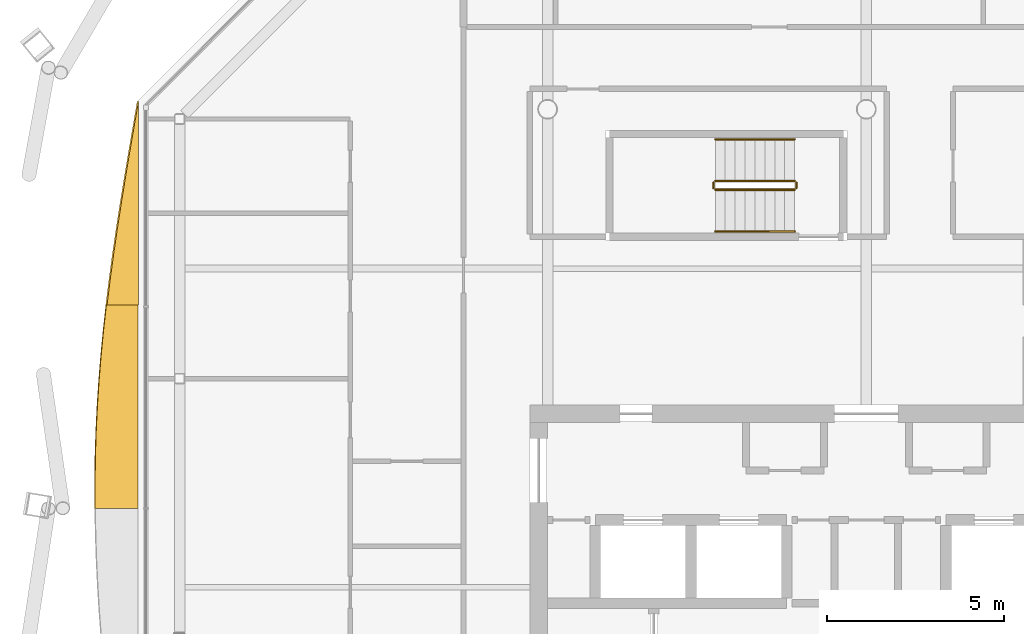
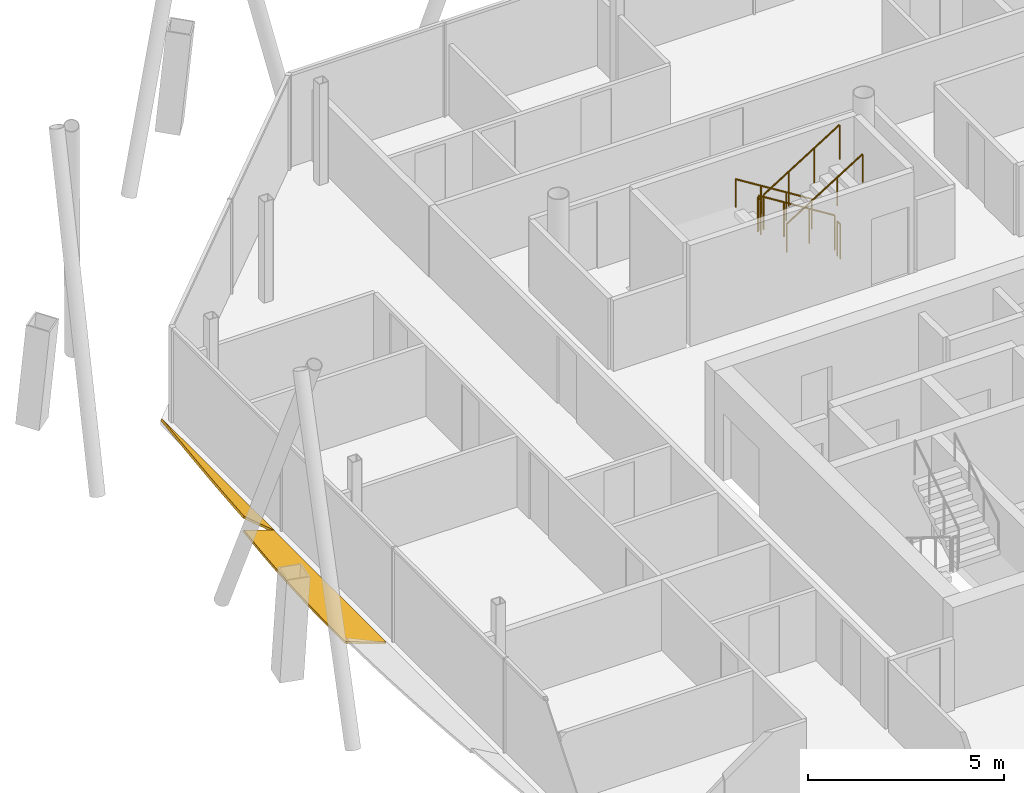
# One storey, part 15 of 16: 6 railings, 2 shading devices.
"""IFC4 building model written with IfcOpenShell, lengths in metres."""

from ifc_helpers import new_model, si_unit, direction, frame, origin, origin_2d, place, context, subcontext, project, spatial, polyline, circle, outline, extrude, material, layer, layer_set, type_object, element, save


model = new_model("IFC4")

# Units and contexts
model_context = context("Model", 3, precision=1e-05, world=origin(), true_north=direction((0.0, 1.0)))
body_context = subcontext(model_context, "Body", "Model", "MODEL_VIEW")
ifc_project = project(units=[si_unit("LENGTHUNIT", "METRE"), si_unit("AREAUNIT", "SQUARE_METRE"), si_unit("VOLUMEUNIT", "CUBIC_METRE"), si_unit("PLANEANGLEUNIT", "RADIAN"), si_unit("MASSUNIT", "GRAM", prefix="KILO")], contexts=[model_context])

# Site, building, storey
site_placement = place(None, origin())
site = spatial("IfcSite", under=ifc_project, at=site_placement, CompositionType="ELEMENT")
building_placement = place(site_placement, origin())
building = spatial("IfcBuilding", under=site, at=building_placement, Name="Tskaro Facet Tower", CompositionType="ELEMENT")
storey_placement = place(building_placement, frame((0.0, 0.0, 245.550048828125)))
storey = spatial("IfcBuildingStorey", under=building, at=storey_placement, Name="L64", CompositionType="ELEMENT", Elevation=245.550048828125)

# Shading devices
ifc_material_1 = material(Name="Bronze anodised aluminium 6063-T6", Category="aluminium")
ifc_layer = layer(ifc_material_1, 0.06005859375, Name="Bronze anodised aluminium 6063-T6")
ifc_layer_set = layer_set([ifc_layer], Name="Bronze anodised aluminium 6063-T6")
shading_device_type = type_object("IfcShadingDeviceType", Name="Bronze sun blade (FN1)", PredefinedType="USERDEFINED", material=ifc_layer_set)
shading_device_1_placement = place(storey_placement, frame((-20.552490234375, 9.221923828125, 0.0458984375), z_axis=(0.642858755108, 1.3712741e-05, 0.765984739269), x_axis=(8.815356e-06, -0.999999999906, 1.050375e-05)))
element("IfcShadingDevice", 1, at=shading_device_1_placement, inside=storey, type_object=shading_device_type, Name="Fin blade west 1", ObjectType="FIN", PredefinedType="USERDEFINED", context=body_context, shape_type="SweptSolid", body=[
    extrude(outline(polyline([(0.0, 0.0), (5.746582030709709, 4.867544314568291e-21), (5.746582031884768, -1.15896617017039), (5.028320311481949, -1.0425252356742543), (4.310058594602673, -0.9151444791513481), (3.5915527324254235, -0.7779158885049613), (2.873291012977763, -0.6325291833367475), (2.1550292972835368, -0.4803601873718135), (1.43652343734564, -0.32318880037600245), (0.7182617207794275, -0.16236078601969137), (0.0, 0.0)])), origin(), (0.0, 0.0, -1.0), 0.06005859375),
])
shading_device_2_placement = place(storey_placement, frame((-20.570556640625, 3.475341796875, 0.056396484375), z_axis=(0.342003595381, 1.028157e-06, 0.93969864358), x_axis=(3.51634e-07, -0.999999999999, 9.66158e-07)))
element("IfcShadingDevice", 2, at=shading_device_2_placement, inside=storey, type_object=shading_device_type, Name="Fin blade west 2", ObjectType="FIN", PredefinedType="USERDEFINED", context=body_context, shape_type="SweptSolid", body=[
    extrude(outline(polyline([(0.0, 0.0), (5.746826171871962, 0.0), (5.746826171827961, -1.2829131745358124), (5.195068359477469, -1.2860836827633193), (5.028564453077526, -1.2857707671776353), (4.310058593662833, -1.2758839022383333), (3.591796874941395, -1.2522514082897562), (2.873535156352394, -1.2154156195317436), (2.1550292969491043, -1.165522457606922), (1.436767578195738, -1.103427172300815), (0.7185058592955995, -1.0295886008417328), (-7.625016480983472e-11, -0.9446325744010432), (0.0, 0.0)])), origin(), (0.0, 0.0, -1.0), 0.06005859375),
])

# Railings
ifc_material_2 = material(Name="Stainless steel", Category="steel")
railing_type_1 = type_object("IfcRailingType", Name="RL-GUARD-1100", PredefinedType="GUARDRAIL", material=ifc_material_2)
railing_1_placement = place(storey_placement, frame((-2.02490234375, 6.97509765625, 0.175048828125)))
element("IfcRailing", 3, at=railing_1_placement, inside=storey, type_object=railing_type_1, Name="L64 ST-3 stair guard 1", PredefinedType="GUARDRAIL", context=body_context, shape_type="SweptSolid", body=[
    extrude(circle(Radius=0.02392578125, at=origin_2d()), frame((0.0, 0.0, 1.076171875), z_axis=(-0.848013881152, 0.0, 0.529974015752), x_axis=(0.0, -1.0, 0.0)), (0.0, 0.0, 1.0), 2.641357421875),
    extrude(circle(Radius=0.02099609375, at=origin_2d()), origin(), (0.0, 0.0, 1.0), 1.052001953125),
    extrude(circle(Radius=0.02099609375, at=origin_2d()), frame((-0.74658203125, 0.0, 0.466552734375)), (0.0, 0.0, 1.0), 1.052001953125),
    extrude(circle(Radius=0.02099609375, at=origin_2d()), frame((-1.493408203125, 0.0, 0.933349609375)), (0.0, 0.0, 1.0), 1.052001953125),
    extrude(circle(Radius=0.02099609375, at=origin_2d()), frame((-2.239990234375, 0.0, 1.39990234375)), (0.0, 0.0, 1.0), 1.052001953125),
])
railing_2_placement = place(storey_placement, frame((-4.31494140625, 6.925048828125, 1.574951171875)))
element("IfcRailing", 4, at=railing_2_placement, inside=storey, type_object=railing_type_1, Name="L64 ST-3 stair guard 2", PredefinedType="GUARDRAIL", context=body_context, shape_type="SweptSolid", body=[
    extrude(circle(Radius=0.02392578125, at=origin_2d()), frame((0.0, 0.0, 1.076171875), z_axis=(0.0, -1.0, 0.0), x_axis=(1.0, 0.0, 0.0)), (0.0, 0.0, 1.0), 0.150146484375),
    extrude(circle(Radius=0.02099609375, at=origin_2d()), origin(), (0.0, 0.0, 1.0), 1.052001953125),
    extrude(circle(Radius=0.02099609375, at=origin_2d()), frame((0.0, -0.150146484375, 0.0)), (0.0, 0.0, 1.0), 1.052001953125),
])
railing_3_placement = place(storey_placement, frame((-4.264892578125, 6.72509765625, 1.75)))
element("IfcRailing", 5, at=railing_3_placement, inside=storey, type_object=railing_type_1, Name="L64 ST-3 stair guard 3", PredefinedType="GUARDRAIL", context=body_context, shape_type="SweptSolid", body=[
    extrude(circle(Radius=0.02392578125, at=origin_2d()), frame((0.0, 0.0, 1.076171875), z_axis=(0.848013881152, 0.0, 0.529974015752), x_axis=(0.0, 1.0, 0.0)), (0.0, 0.0, 1.0), 2.641357421875),
    extrude(circle(Radius=0.02099609375, at=origin_2d()), origin(), (0.0, 0.0, 1.0), 1.052001953125),
    extrude(circle(Radius=0.02099609375, at=origin_2d()), frame((0.74658203125, 0.0, 0.466552734375)), (0.0, 0.0, 1.0), 1.052001953125),
    extrude(circle(Radius=0.02099609375, at=origin_2d()), frame((1.493408203125, 0.0, 0.933349609375)), (0.0, 0.0, 1.0), 1.052001953125),
    extrude(circle(Radius=0.02099609375, at=origin_2d()), frame((2.239990234375, 0.0, 1.39990234375)), (0.0, 0.0, 1.0), 1.052001953125),
])
railing_4_placement = place(storey_placement, frame((-1.97509765625, 6.925048828125, 0.0)))
element("IfcRailing", 6, at=railing_4_placement, inside=storey, type_object=railing_type_1, Name="L64 ST-3 stair guard 4", PredefinedType="GUARDRAIL", context=body_context, shape_type="SweptSolid", body=[
    extrude(circle(Radius=0.02392578125, at=origin_2d()), frame((0.0, 0.0, 1.076171875), z_axis=(0.0, -1.0, 0.0), x_axis=(1.0, 0.0, 0.0)), (0.0, 0.0, 1.0), 0.150146484375),
    extrude(circle(Radius=0.02099609375, at=origin_2d()), origin(), (0.0, 0.0, 1.0), 1.052001953125),
    extrude(circle(Radius=0.02099609375, at=origin_2d()), frame((0.0, -0.150146484375, 0.0)), (0.0, 0.0, 1.0), 1.052001953125),
])
railing_type_2 = type_object("IfcRailingType", Name="RL-HANDRAIL-900", PredefinedType="HANDRAIL", material=ifc_material_2)
railing_5_placement = place(storey_placement, frame((-2.02490234375, 8.14990234375, 0.175048828125)))
element("IfcRailing", 7, at=railing_5_placement, inside=storey, type_object=railing_type_2, Name="L64 ST-3 stair handrail 1", PredefinedType="HANDRAIL", context=body_context, shape_type="SweptSolid", body=[
    extrude(circle(Radius=0.02392578125, at=origin_2d()), frame((0.0, 0.0, 0.8759765625), z_axis=(-0.848013881152, 0.0, 0.529974015752), x_axis=(0.0, -1.0, 0.0)), (0.0, 0.0, 1.0), 2.641357421875),
    extrude(circle(Radius=0.02099609375, at=origin_2d()), origin(), (0.0, 0.0, 1.0), 0.851806640625),
    extrude(circle(Radius=0.02099609375, at=origin_2d()), frame((-0.74658203125, 0.0, 0.466552734375)), (0.0, 0.0, 1.0), 0.851806640625),
    extrude(circle(Radius=0.02099609375, at=origin_2d()), frame((-1.493408203125, 0.0, 0.933349609375)), (0.0, 0.0, 1.0), 0.851806640625),
    extrude(circle(Radius=0.02099609375, at=origin_2d()), frame((-2.239990234375, 0.0, 1.39990234375)), (0.0, 0.0, 1.0), 0.851806640625),
])
railing_6_placement = place(storey_placement, frame((-4.264892578125, 5.550048828125, 1.75)))
element("IfcRailing", 8, at=railing_6_placement, inside=storey, type_object=railing_type_2, Name="L64 ST-3 stair handrail 2", PredefinedType="HANDRAIL", context=body_context, shape_type="SweptSolid", body=[
    extrude(circle(Radius=0.02392578125, at=origin_2d()), frame((0.0, 0.0, 0.8759765625), z_axis=(0.848013881152, 0.0, 0.529974015752), x_axis=(0.0, 1.0, 0.0)), (0.0, 0.0, 1.0), 2.641357421875),
    extrude(circle(Radius=0.02099609375, at=origin_2d()), origin(), (0.0, 0.0, 1.0), 0.851806640625),
    extrude(circle(Radius=0.02099609375, at=origin_2d()), frame((0.74658203125, 0.0, 0.466552734375)), (0.0, 0.0, 1.0), 0.851806640625),
    extrude(circle(Radius=0.02099609375, at=origin_2d()), frame((1.493408203125, 0.0, 0.933349609375)), (0.0, 0.0, 1.0), 0.851806640625),
    extrude(circle(Radius=0.02099609375, at=origin_2d()), frame((2.239990234375, 0.0, 1.39990234375)), (0.0, 0.0, 1.0), 0.851806640625),
])

save(model, "model.ifc")
